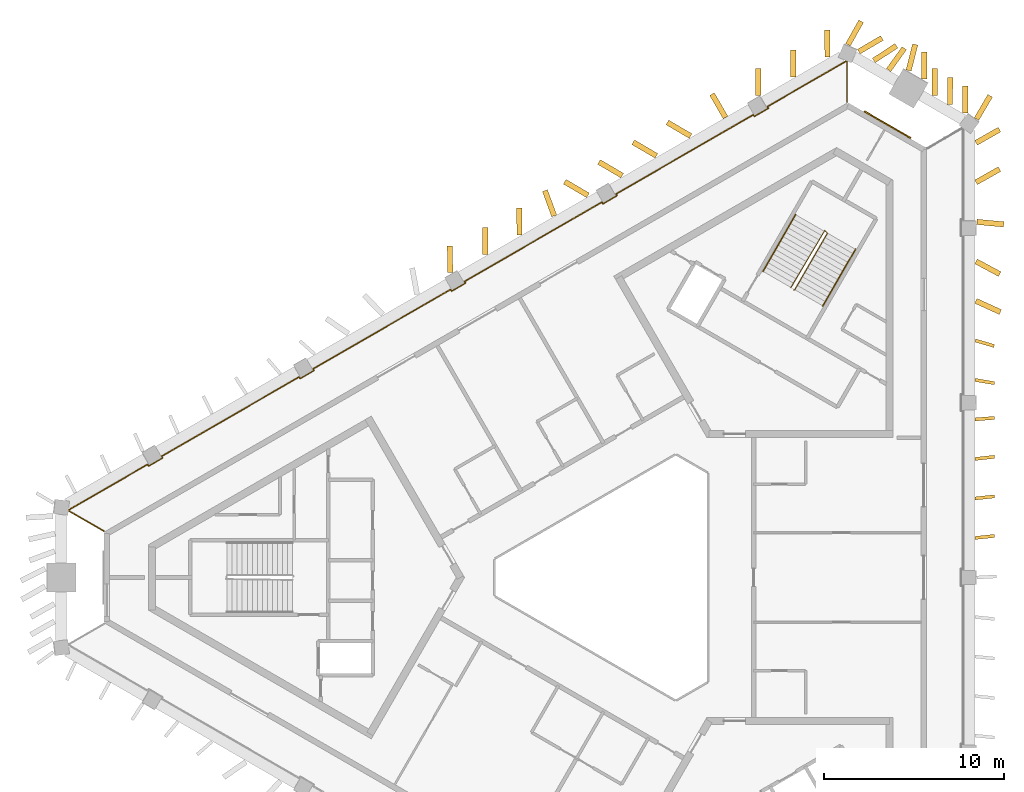
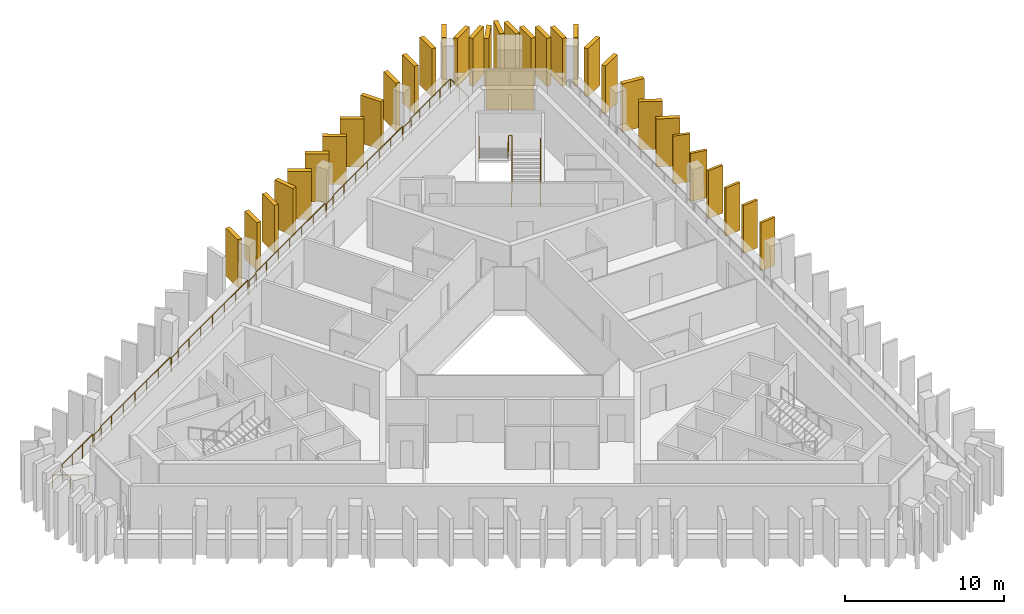
# One storey, part 9 of 9: 33 shading devices, 4 railings, 1 covering.
"""IFC4 building model written with IfcOpenShell, lengths in metres."""

from ifc_helpers import new_model, si_unit, direction, frame, frame_2d, origin, origin_2d, place, context, subcontext, project, spatial, rectangle, circle, extrude, material, layer, layer_set, type_object, element, save


model = new_model("IFC4")

# Units and contexts
model_context = context("Model", 3, precision=1e-05, world=origin(), true_north=direction((0.0, 1.0)))
body_context = subcontext(model_context, "Body", "Model", "MODEL_VIEW")
ifc_project = project(units=[si_unit("LENGTHUNIT", "METRE"), si_unit("AREAUNIT", "SQUARE_METRE"), si_unit("VOLUMEUNIT", "CUBIC_METRE"), si_unit("PLANEANGLEUNIT", "RADIAN"), si_unit("MASSUNIT", "GRAM", prefix="KILO")], contexts=[model_context])

# Site, building, storey
site_placement = place(None, origin())
site = spatial("IfcSite", under=ifc_project, at=site_placement, CompositionType="ELEMENT")
building_placement = place(site_placement, origin())
building = spatial("IfcBuilding", under=site, at=building_placement, Name="Jabali Bay Hotel Tower and Convention Centre", CompositionType="ELEMENT")
storey_placement = place(building_placement, frame((0.0, 0.0, 273.800048828125)))
storey = spatial("IfcBuildingStorey", under=building, at=storey_placement, Name="L67", CompositionType="ELEMENT", Elevation=273.800048828125)

# Railing
ifc_material_1 = material(Name="Glass", Category="glass")
railing_type_1 = type_object("IfcRailingType", Name="Loggia glass guard 1100", PredefinedType="BALUSTRADE", material=ifc_material_1)
railing_1_placement = place(storey_placement, frame((45.91748046875, 82.582763671875, 0.0)))
element("IfcRailing", 1, at=railing_1_placement, inside=storey, type_object=railing_type_1, Name="Loggia glass guard L67", PredefinedType="BALUSTRADE", context=body_context, shape_type="SweptSolid", body=[
    extrude(circle(Radius=0.02490234375, at=origin_2d()), frame((0.0, 0.0, 1.0751953125), z_axis=(-0.866035472144, 0.499982560684, 0.0), x_axis=(-0.495705140567, -0.858626418625, 0.13052619222)), (0.0, 0.0, 1.0), 2.27490234375),
    extrude(circle(Radius=0.02490234375, at=origin_2d()), frame((-1.97021484375, 1.137451171875, 1.0751953125), z_axis=(0.124034734589, 0.992277876714, 0.0), x_axis=(-0.983788801923, 0.12297360024, 0.13052619222)), (0.0, 0.0, 1.0), 0.037353515625),
    extrude(circle(Radius=0.02490234375, at=origin_2d()), frame((-1.965576171875, 1.174560546875, 1.0751953125), z_axis=(0.866031116496, 0.499990105162, 0.0), x_axis=(-0.495712620501, 0.85862210024, 0.13052619222)), (0.0, 0.0, 1.0), 5.07958984375),
    extrude(circle(Radius=0.02490234375, at=origin_2d()), frame((2.43359375, 3.71435546875, 1.0751953125), z_axis=(0.500074377092, -0.865982457891, 0.0), x_axis=(0.858573857916, 0.495796171473, 0.13052619222)), (0.0, 0.0, 1.0), 0.10009765625),
    extrude(circle(Radius=0.02490234375, at=origin_2d()), frame((2.483642578125, 3.627685546875, 1.0751953125), z_axis=(0.865964261186, 0.500105887137, 0.0), x_axis=(-0.495827411944, 0.858555816886, 0.13052619222)), (0.0, 0.0, 1.0), 0.900146484375),
    extrude(circle(Radius=0.02490234375, at=origin_2d()), frame((3.26318359375, 4.077880859375, 1.0751953125), z_axis=(-0.501132629342, 0.865370491644, 0.0), x_axis=(-0.857967127125, -0.496845370228, 0.13052619222)), (0.0, 0.0, 1.0), 0.099853515625),
    extrude(circle(Radius=0.02490234375, at=origin_2d()), frame((3.213134765625, 4.164306640625, 1.0751953125), z_axis=(0.866013114467, 0.500021285118, 0.0), x_axis=(-0.495743533707, 0.858604252221, 0.13052619222)), (0.0, 0.0, 1.0), 8.83984375),
    extrude(circle(Radius=0.02490234375, at=origin_2d()), frame((10.86865234375, 8.58447265625, 1.0751953125), z_axis=(0.500074377092, -0.865982457891, 0.0), x_axis=(0.858573857916, 0.495796171473, 0.13052619222)), (0.0, 0.0, 1.0), 0.10009765625),
    extrude(circle(Radius=0.02490234375, at=origin_2d()), frame((10.918701171875, 8.497802734375, 1.0751953125), z_axis=(0.866081705922, 0.499902469156, 0.0), x_axis=(-0.495625734232, 0.858672256866, 0.13052619222)), (0.0, 0.0, 1.0), 0.900146484375),
    extrude(circle(Radius=0.02490234375, at=origin_2d()), frame((11.6982421875, 8.94775390625, 1.0751953125), z_axis=(-0.500074377092, 0.865982457891, 0.0), x_axis=(-0.858573857916, -0.495796171473, 0.13052619222)), (0.0, 0.0, 1.0), 0.10009765625),
    extrude(circle(Radius=0.02490234375, at=origin_2d()), frame((11.648193359375, 9.034423828125, 1.0751953125), z_axis=(0.866031977934, 0.499988613066, 0.0), x_axis=(-0.49571114117, 0.858622954308, 0.13052619222)), (0.0, 0.0, 1.0), 8.840087890625),
    extrude(circle(Radius=0.02490234375, at=origin_2d()), frame((19.303955078125, 13.454345703125, 1.0751953125), z_axis=(0.499298623879, -0.866429964967, 0.0), x_axis=(0.859017536507, 0.495027054936, 0.13052619222)), (0.0, 0.0, 1.0), 0.099853515625),
    extrude(circle(Radius=0.02490234375, at=origin_2d()), frame((19.353759765625, 13.367919921875, 1.0751953125), z_axis=(0.866081705922, 0.499902469156, 0.0), x_axis=(-0.495625734232, 0.858672256866, 0.13052619222)), (0.0, 0.0, 1.0), 0.900146484375),
    extrude(circle(Radius=0.02490234375, at=origin_2d()), frame((20.13330078125, 13.81787109375, 1.0751953125), z_axis=(-0.501132629342, 0.865370491644, 0.0), x_axis=(-0.857967127125, -0.496845370228, 0.13052619222)), (0.0, 0.0, 1.0), 0.099853515625),
    extrude(circle(Radius=0.02490234375, at=origin_2d()), frame((20.083251953125, 13.904296875, 1.0751953125), z_axis=(0.866020019271, 0.500009326134, 0.0), x_axis=(-0.495731677035, 0.858611097954, 0.13052619222)), (0.0, 0.0, 1.0), 8.840087890625),
    extrude(circle(Radius=0.02490234375, at=origin_2d()), frame((27.739013671875, 18.324462890625, 1.0751953125), z_axis=(0.4982416694, -0.867038199201, 0.0), x_axis=(0.859620567213, 0.493979142849, 0.13052619222)), (0.0, 0.0, 1.0), 0.099853515625),
    extrude(circle(Radius=0.02490234375, at=origin_2d()), frame((27.788818359375, 18.23779296875, 1.0751953125), z_axis=(0.866081705922, 0.499902469156, 0.0), x_axis=(-0.495625734232, 0.858672256866, 0.13052619222)), (0.0, 0.0, 1.0), 0.900146484375),
    extrude(circle(Radius=0.02490234375, at=origin_2d()), frame((28.568359375, 18.687744140625, 1.0751953125), z_axis=(-0.500074377092, 0.865982457891, 0.0), x_axis=(-0.858573857916, -0.495796171473, 0.13052619222)), (0.0, 0.0, 1.0), 0.10009765625),
    extrude(circle(Radius=0.02490234375, at=origin_2d()), frame((28.518310546875, 18.7744140625, 1.0751953125), z_axis=(0.866031977934, 0.499988613066, 0.0), x_axis=(-0.49571114117, 0.858622954308, 0.13052619222)), (0.0, 0.0, 1.0), 8.840087890625),
    extrude(circle(Radius=0.02490234375, at=origin_2d()), frame((36.174072265625, 23.1943359375, 1.0751953125), z_axis=(0.501132629342, -0.865370491644, 0.0), x_axis=(0.857967127125, 0.496845370228, 0.13052619222)), (0.0, 0.0, 1.0), 0.099853515625),
    extrude(circle(Radius=0.02490234375, at=origin_2d()), frame((36.22412109375, 23.10791015625, 1.0751953125), z_axis=(0.866013897511, 0.50001992892, 0.0), x_axis=(-0.495742189112, 0.858605028566, 0.13052619222)), (0.0, 0.0, 1.0), 0.89990234375),
    extrude(circle(Radius=0.02490234375, at=origin_2d()), frame((37.00341796875, 23.557861328125, 1.0751953125), z_axis=(-0.501132629342, 0.865370491644, 0.0), x_axis=(-0.857967127125, -0.496845370228, 0.13052619222)), (0.0, 0.0, 1.0), 0.099853515625),
    extrude(circle(Radius=0.02490234375, at=origin_2d()), frame((36.953369140625, 23.644287109375, 1.0751953125), z_axis=(0.866022320763, 0.500005339912, 0.0), x_axis=(-0.495727724915, 0.858613379755, 0.13052619222)), (0.0, 0.0, 1.0), 5.080078125),
    extrude(circle(Radius=0.02490234375, at=origin_2d()), frame((41.352783203125, 26.184326171875, 1.0751953125), z_axis=(0.922495174035, -0.386008618922, 0.0), x_axis=(0.382706261677, 0.914603099939, 0.13052619222)), (0.0, 0.0, 1.0), 0.037353515625),
    extrude(circle(Radius=0.02490234375, at=origin_2d()), frame((41.38720703125, 26.169921875, 1.0751953125), z_axis=(0.0, -1.0, 0.0), x_axis=(0.991444861374, 0.0, 0.13052619222)), (0.0, 0.0, 1.0), 2.275146484375),
    extrude(circle(Radius=0.02001953125, at=origin_2d()), origin(), (0.0, 0.0, 1.0), 1.050048828125),
    extrude(circle(Radius=0.02001953125, at=origin_2d()), frame((-0.985107421875, 0.56884765625, 0.0)), (0.0, 0.0, 1.0), 1.050048828125),
    extrude(circle(Radius=0.02001953125, at=origin_2d()), frame((-1.97021484375, 1.137451171875, 0.0)), (0.0, 0.0, 1.0), 1.050048828125),
    extrude(circle(Radius=0.02001953125, at=origin_2d()), frame((-1.965576171875, 1.174560546875, 0.0)), (0.0, 0.0, 1.0), 1.050048828125),
    extrude(circle(Radius=0.02001953125, at=origin_2d()), frame((-0.86572265625, 1.8095703125, 0.0)), (0.0, 0.0, 1.0), 1.050048828125),
    extrude(circle(Radius=0.02001953125, at=origin_2d()), frame((0.23388671875, 2.4443359375, 0.0)), (0.0, 0.0, 1.0), 1.050048828125),
    extrude(circle(Radius=0.02001953125, at=origin_2d()), frame((1.333740234375, 3.079345703125, 0.0)), (0.0, 0.0, 1.0), 1.050048828125),
    extrude(circle(Radius=0.02001953125, at=origin_2d()), frame((2.43359375, 3.71435546875, 0.0)), (0.0, 0.0, 1.0), 1.050048828125),
    extrude(circle(Radius=0.02001953125, at=origin_2d()), frame((2.483642578125, 3.627685546875, 0.0)), (0.0, 0.0, 1.0), 1.050048828125),
    extrude(circle(Radius=0.02001953125, at=origin_2d()), frame((3.26318359375, 4.077880859375, 0.0)), (0.0, 0.0, 1.0), 1.050048828125),
    extrude(circle(Radius=0.02001953125, at=origin_2d()), frame((3.213134765625, 4.164306640625, 0.0)), (0.0, 0.0, 1.0), 1.050048828125),
    extrude(circle(Radius=0.02001953125, at=origin_2d()), frame((4.489013671875, 4.90087890625, 0.0)), (0.0, 0.0, 1.0), 1.050048828125),
    extrude(circle(Radius=0.02001953125, at=origin_2d()), frame((5.764892578125, 5.6376953125, 0.0)), (0.0, 0.0, 1.0), 1.050048828125),
    extrude(circle(Radius=0.02001953125, at=origin_2d()), frame((7.041015625, 6.37451171875, 0.0)), (0.0, 0.0, 1.0), 1.050048828125),
    extrude(circle(Radius=0.02001953125, at=origin_2d()), frame((8.31689453125, 7.111083984375, 0.0)), (0.0, 0.0, 1.0), 1.050048828125),
    extrude(circle(Radius=0.02001953125, at=origin_2d()), frame((9.5927734375, 7.84765625, 0.0)), (0.0, 0.0, 1.0), 1.050048828125),
    extrude(circle(Radius=0.02001953125, at=origin_2d()), frame((10.86865234375, 8.58447265625, 0.0)), (0.0, 0.0, 1.0), 1.050048828125),
    extrude(circle(Radius=0.02001953125, at=origin_2d()), frame((10.918701171875, 8.497802734375, 0.0)), (0.0, 0.0, 1.0), 1.050048828125),
    extrude(circle(Radius=0.02001953125, at=origin_2d()), frame((11.6982421875, 8.94775390625, 0.0)), (0.0, 0.0, 1.0), 1.050048828125),
    extrude(circle(Radius=0.02001953125, at=origin_2d()), frame((11.648193359375, 9.034423828125, 0.0)), (0.0, 0.0, 1.0), 1.050048828125),
    extrude(circle(Radius=0.02001953125, at=origin_2d()), frame((12.924072265625, 9.77099609375, 0.0)), (0.0, 0.0, 1.0), 1.050048828125),
    extrude(circle(Radius=0.02001953125, at=origin_2d()), frame((14.2001953125, 10.5078125, 0.0)), (0.0, 0.0, 1.0), 1.050048828125),
    extrude(circle(Radius=0.02001953125, at=origin_2d()), frame((15.47607421875, 11.244384765625, 0.0)), (0.0, 0.0, 1.0), 1.050048828125),
    extrude(circle(Radius=0.02001953125, at=origin_2d()), frame((16.751953125, 11.98095703125, 0.0)), (0.0, 0.0, 1.0), 1.050048828125),
    extrude(circle(Radius=0.02001953125, at=origin_2d()), frame((18.028076171875, 12.7177734375, 0.0)), (0.0, 0.0, 1.0), 1.050048828125),
    extrude(circle(Radius=0.02001953125, at=origin_2d()), frame((19.303955078125, 13.454345703125, 0.0)), (0.0, 0.0, 1.0), 1.050048828125),
    extrude(circle(Radius=0.02001953125, at=origin_2d()), frame((19.353759765625, 13.367919921875, 0.0)), (0.0, 0.0, 1.0), 1.050048828125),
    extrude(circle(Radius=0.02001953125, at=origin_2d()), frame((20.13330078125, 13.81787109375, 0.0)), (0.0, 0.0, 1.0), 1.050048828125),
    extrude(circle(Radius=0.02001953125, at=origin_2d()), frame((20.083251953125, 13.904296875, 0.0)), (0.0, 0.0, 1.0), 1.050048828125),
    extrude(circle(Radius=0.02001953125, at=origin_2d()), frame((21.359130859375, 14.64111328125, 0.0)), (0.0, 0.0, 1.0), 1.050048828125),
    extrude(circle(Radius=0.02001953125, at=origin_2d()), frame((22.63525390625, 15.377685546875, 0.0)), (0.0, 0.0, 1.0), 1.050048828125),
    extrude(circle(Radius=0.02001953125, at=origin_2d()), frame((23.9111328125, 16.1142578125, 0.0)), (0.0, 0.0, 1.0), 1.050048828125),
    extrude(circle(Radius=0.02001953125, at=origin_2d()), frame((25.18701171875, 16.85107421875, 0.0)), (0.0, 0.0, 1.0), 1.050048828125),
    extrude(circle(Radius=0.02001953125, at=origin_2d()), frame((26.463134765625, 17.587890625, 0.0)), (0.0, 0.0, 1.0), 1.050048828125),
    extrude(circle(Radius=0.02001953125, at=origin_2d()), frame((27.739013671875, 18.324462890625, 0.0)), (0.0, 0.0, 1.0), 1.050048828125),
    extrude(circle(Radius=0.02001953125, at=origin_2d()), frame((27.788818359375, 18.23779296875, 0.0)), (0.0, 0.0, 1.0), 1.050048828125),
    extrude(circle(Radius=0.02001953125, at=origin_2d()), frame((28.568359375, 18.687744140625, 0.0)), (0.0, 0.0, 1.0), 1.050048828125),
    extrude(circle(Radius=0.02001953125, at=origin_2d()), frame((28.518310546875, 18.7744140625, 0.0)), (0.0, 0.0, 1.0), 1.050048828125),
    extrude(circle(Radius=0.02001953125, at=origin_2d()), frame((29.794189453125, 19.510986328125, 0.0)), (0.0, 0.0, 1.0), 1.050048828125),
    extrude(circle(Radius=0.02001953125, at=origin_2d()), frame((31.0703125, 20.247802734375, 0.0)), (0.0, 0.0, 1.0), 1.050048828125),
    extrude(circle(Radius=0.02001953125, at=origin_2d()), frame((32.34619140625, 20.984375, 0.0)), (0.0, 0.0, 1.0), 1.050048828125),
    extrude(circle(Radius=0.02001953125, at=origin_2d()), frame((33.6220703125, 21.720947265625, 0.0)), (0.0, 0.0, 1.0), 1.050048828125),
    extrude(circle(Radius=0.02001953125, at=origin_2d()), frame((34.898193359375, 22.457763671875, 0.0)), (0.0, 0.0, 1.0), 1.050048828125),
    extrude(circle(Radius=0.02001953125, at=origin_2d()), frame((36.174072265625, 23.1943359375, 0.0)), (0.0, 0.0, 1.0), 1.050048828125),
    extrude(circle(Radius=0.02001953125, at=origin_2d()), frame((36.22412109375, 23.10791015625, 0.0)), (0.0, 0.0, 1.0), 1.050048828125),
    extrude(circle(Radius=0.02001953125, at=origin_2d()), frame((37.00341796875, 23.557861328125, 0.0)), (0.0, 0.0, 1.0), 1.050048828125),
    extrude(circle(Radius=0.02001953125, at=origin_2d()), frame((36.953369140625, 23.644287109375, 0.0)), (0.0, 0.0, 1.0), 1.050048828125),
    extrude(circle(Radius=0.02001953125, at=origin_2d()), frame((38.05322265625, 24.279296875, 0.0)), (0.0, 0.0, 1.0), 1.050048828125),
    extrude(circle(Radius=0.02001953125, at=origin_2d()), frame((39.153076171875, 24.914306640625, 0.0)), (0.0, 0.0, 1.0), 1.050048828125),
    extrude(circle(Radius=0.02001953125, at=origin_2d()), frame((40.2529296875, 25.54931640625, 0.0)), (0.0, 0.0, 1.0), 1.050048828125),
    extrude(circle(Radius=0.02001953125, at=origin_2d()), frame((41.352783203125, 26.184326171875, 0.0)), (0.0, 0.0, 1.0), 1.050048828125),
    extrude(circle(Radius=0.02001953125, at=origin_2d()), frame((41.38720703125, 26.169921875, 0.0)), (0.0, 0.0, 1.0), 1.050048828125),
    extrude(circle(Radius=0.02001953125, at=origin_2d()), frame((41.38720703125, 25.0322265625, 0.0)), (0.0, 0.0, 1.0), 1.050048828125),
    extrude(circle(Radius=0.02001953125, at=origin_2d()), frame((41.38720703125, 23.894775390625, 0.0)), (0.0, 0.0, 1.0), 1.050048828125),
])

# Shading devices
ifc_material_2 = material(Name="Precast concrete C60", Category="concrete")
ifc_layer_1 = layer(ifc_material_2, 0.179931640625)
ifc_layer_set_1 = layer_set([ifc_layer_1], Name="Precast concrete C60")
shading_device_type_1 = type_object("IfcShadingDeviceType", Name="Precast fin 3680 x 1100", PredefinedType="USERDEFINED", material=ifc_layer_set_1)
shading_device_1_placement = place(storey_placement, frame((94.4296875, 82.200927734375, 0.010009765625), z_axis=(0.0, 0.0, 1.0), x_axis=(0.994544300928, 0.104315068386, 0.0)))
element("IfcShadingDevice", 2, at=shading_device_1_placement, inside=storey, type_object=shading_device_type_1, Name="Fin L67 012", ObjectType="FIN", PredefinedType="USERDEFINED", context=body_context, shape_type="SweptSolid", body=[
    extrude(rectangle(XDim=1.10009765625, YDim=0.179931640625, at=frame_2d((0.550048828125, 0.0))), origin(), (0.0, 0.0, 1.0), 3.679931640625),
])
shading_device_2_placement = place(storey_placement, frame((94.429931640625, 84.401611328125, 0.010009765625), z_axis=(0.0, 0.0, 1.0), x_axis=(0.994379470469, 0.105874778441, 0.0)))
element("IfcShadingDevice", 3, at=shading_device_2_placement, inside=storey, type_object=shading_device_type_1, Name="Fin L67 013", ObjectType="FIN", PredefinedType="USERDEFINED", context=body_context, shape_type="SweptSolid", body=[
    extrude(rectangle(XDim=1.099853515625, YDim=0.179931640625, at=frame_2d((0.5498046875, 0.0))), origin(), (0.0, 0.0, 1.0), 3.679931640625),
])
shading_device_3_placement = place(storey_placement, frame((94.43017578125, 86.6025390625, 0.010009765625), z_axis=(0.0, 0.0, 1.0), x_axis=(0.993924260386, 0.110066182887, 0.0)))
element("IfcShadingDevice", 4, at=shading_device_3_placement, inside=storey, type_object=shading_device_type_1, Name="Fin L67 014", ObjectType="FIN", PredefinedType="USERDEFINED", context=body_context, shape_type="SweptSolid", body=[
    extrude(rectangle(XDim=1.10009765625, YDim=0.179931640625, at=frame_2d((0.550048828125, 0.0))), origin(), (0.0, 0.0, 1.0), 3.679931640625),
])
for number, where, z_axis, x_axis, name in (
    (5, (94.427490234375, 88.80322265625, 0.010009765625), (0.0, 0.0, 1.0), (0.996837823076, 0.079462912639, 0.0), "Fin L67 015"),
    (6, (94.435302734375, 91.004150390625, 0.010009765625), (0.0, 0.0, 1.0), (0.986158969378, -0.165802554609, 0.0), "Fin L67 016"),
    (7, (94.44580078125, 93.204833984375, 0.010009765625), (0.0, 0.0, 1.0), (0.959117717757, -0.283007426554, 0.0), "Fin L67 017"),
):
    element("IfcShadingDevice", number, at=place(storey_placement, frame(where, z_axis=z_axis, x_axis=x_axis)), inside=storey, type_object=shading_device_type_1, Name=name, ObjectType="FIN", PredefinedType="USERDEFINED", context=body_context, shape_type="SweptSolid", body=[
        extrude(rectangle(XDim=1.099853515625, YDim=0.179931640625, at=frame_2d((0.5498046875, 0.0))), origin(), (0.0, 0.0, 1.0), 3.679931640625),
    ])
ifc_layer_2 = layer(ifc_material_2, 0.300048828125)
ifc_layer_set_2 = layer_set([ifc_layer_2], Name="Precast concrete C60")
shading_device_type_2 = type_object("IfcShadingDeviceType", Name="Precast fin 3680 x 1500", PredefinedType="USERDEFINED", material=ifc_layer_set_2)
for number, where, z_axis, x_axis, name in (
    (8, (94.482421875, 95.40576171875, 0.010009765625), (0.0, 0.0, 1.0), (0.910383199859, -0.413766153056, 0.0), "Fin L67 018"),
    (9, (94.491455078125, 97.606689453125, 0.010009765625), (0.0, 0.0, 1.0), (0.880716621163, -0.473643571906, 0.0), "Fin L67 019"),
    (10, (94.5419921875, 99.807373046875, 0.010009765625), (0.0, 0.0, 1.0), (0.995518122564, -0.094570966189, 0.0), "Fin L67 020"),
    (11, (94.494140625, 102.00830078125, 0.010009765625), (0.0, 0.0, 1.0), (0.870408202806, 0.492330742986, 0.0), "Fin L67 021"),
    (12, (94.494384765625, 104.208984375, 0.010009765625), (0.0, 0.0, 1.0), (0.869940726606, 0.493156295906, 0.0), "Fin L67 022"),
    (13, (93.885009765625, 105.8662109375, 0.010009765625), (0.0, 0.0, 1.0), (0.007649515767, 0.999970742026, 0.0), "Fin L67 023"),
):
    element("IfcShadingDevice", number, at=place(storey_placement, frame(where, z_axis=z_axis, x_axis=x_axis)), inside=storey, type_object=shading_device_type_2, Name=name, ObjectType="FIN", PredefinedType="USERDEFINED", context=body_context, shape_type="SweptSolid", body=[
        extrude(rectangle(XDim=1.5, YDim=0.300048828125, at=frame_2d((0.75, 0.0))), origin(), (0.0, 0.0, 1.0), 3.679931640625),
    ])
shading_device_4_placement = place(storey_placement, frame((93.038330078125, 106.355224609375, 0.010009765625), z_axis=(0.0, 0.0, 1.0), x_axis=(0.007650760936, 0.9999707325, 0.0)))
element("IfcShadingDevice", 14, at=shading_device_4_placement, inside=storey, type_object=shading_device_type_2, Name="Fin L67 024", ObjectType="FIN", PredefinedType="USERDEFINED", context=body_context, shape_type="SweptSolid", body=[
    extrude(rectangle(XDim=1.499755859375, YDim=0.300048828125, at=frame_2d((0.75, 0.0))), origin(), (0.0, 0.0, 1.0), 3.679931640625),
])
shading_device_5_placement = place(storey_placement, frame((92.191650390625, 106.843994140625, 0.010009765625), z_axis=(0.0, 0.0, 1.0), x_axis=(0.007649515767, 0.999970742026, 0.0)))
element("IfcShadingDevice", 15, at=shading_device_5_placement, inside=storey, type_object=shading_device_type_2, Name="Fin L67 025", ObjectType="FIN", PredefinedType="USERDEFINED", context=body_context, shape_type="SweptSolid", body=[
    extrude(rectangle(XDim=1.5, YDim=0.300048828125, at=frame_2d((0.75, 0.0))), origin(), (0.0, 0.0, 1.0), 3.679931640625),
])
shading_device_6_placement = place(storey_placement, frame((91.601318359375, 107.77685546875, 0.010009765625), z_axis=(0.0, 0.0, 1.0), x_axis=(0.007650760936, 0.9999707325, 0.0)))
element("IfcShadingDevice", 16, at=shading_device_6_placement, inside=storey, type_object=shading_device_type_2, Name="Fin L67 026", ObjectType="FIN", PredefinedType="USERDEFINED", context=body_context, shape_type="SweptSolid", body=[
    extrude(rectangle(XDim=1.499755859375, YDim=0.300048828125, at=frame_2d((0.75, 0.0))), origin(), (0.0, 0.0, 1.0), 3.679931640625),
])
shading_device_7_placement = place(storey_placement, frame((90.73828125, 108.237060546875, 0.010009765625), z_axis=(0.0, 0.0, 1.0), x_axis=(0.243990698292, 0.969777571996, 0.0)))
element("IfcShadingDevice", 17, at=shading_device_7_placement, inside=storey, type_object=shading_device_type_2, Name="Fin L67 027", ObjectType="FIN", PredefinedType="USERDEFINED", context=body_context, shape_type="SweptSolid", body=[
    extrude(rectangle(XDim=1.5, YDim=0.300048828125, at=frame_2d((0.75, 0.0))), origin(), (0.0, 0.0, 1.0), 3.679931640625),
])
shading_device_8_placement = place(storey_placement, frame((89.6220703125, 108.259033203125, 0.010009765625), z_axis=(0.0, 0.0, 1.0), x_axis=(0.582622872891, 0.812742633301, 0.0)))
element("IfcShadingDevice", 18, at=shading_device_8_placement, inside=storey, type_object=shading_device_type_2, Name="Fin L67 028", ObjectType="FIN", PredefinedType="USERDEFINED", context=body_context, shape_type="SweptSolid", body=[
    extrude(rectangle(XDim=1.500244140625, YDim=0.300048828125, at=frame_2d((0.75, 0.0))), origin(), (0.0, 0.0, 1.0), 3.679931640625),
])
for number, where, z_axis, x_axis, name in (
    (19, (88.801513671875, 108.79296875, 0.010009765625), (0.0, 0.0, 1.0), (0.833798897254, 0.552068291916, 0.0), "Fin L67 029"),
    (20, (87.958251953125, 109.2880859375, 0.010009765625), (0.0, 0.0, 1.0), (0.862252015738, 0.506479477723, 0.0), "Fin L67 030"),
    (21, (86.218505859375, 108.987060546875, 0.010009765625), (0.0, 0.0, 1.0), (-0.007649515767, 0.999970742026, 0.0), "Fin L67 031"),
    (22, (84.3125, 107.88671875, 0.010009765625), (0.0, 0.0, 1.0), (-0.007649515767, 0.999970742026, 0.0), "Fin L67 032"),
    (23, (82.369384765625, 106.850830078125, 0.010009765625), (0.0, 0.0, 1.0), (-0.007649515767, 0.999970742026, 0.0), "Fin L67 033"),
    (24, (80.53759765625, 105.6220703125, 0.010009765625), (0.0, 0.0, 1.0), (-0.499168154859, 0.86650513742, 0.0), "Fin L67 034"),
    (25, (78.594482421875, 104.58544921875, 0.010009765625), (0.0, 0.0, 1.0), (-0.862139163582, 0.506671552998, 0.0), "Fin L67 035"),
    (26, (76.688720703125, 103.485107421875, 0.010009765625), (0.0, 0.0, 1.0), (-0.862252015738, 0.506479477723, 0.0), "Fin L67 036"),
    (27, (74.78271484375, 102.384765625, 0.010009765625), (0.0, 0.0, 1.0), (-0.862210257959, 0.506550561218, 0.0), "Fin L67 037"),
    (28, (72.876708984375, 101.2841796875, 0.010009765625), (0.0, 0.0, 1.0), (-0.862139163582, 0.506671552998, 0.0), "Fin L67 038"),
    (29, (70.994873046875, 100.14208984375, 0.010009765625), (0.0, 0.0, 1.0), (-0.343245415571, 0.939245753086, 0.0), "Fin L67 039"),
):
    element("IfcShadingDevice", number, at=place(storey_placement, frame(where, z_axis=z_axis, x_axis=x_axis)), inside=storey, type_object=shading_device_type_2, Name=name, ObjectType="FIN", PredefinedType="USERDEFINED", context=body_context, shape_type="SweptSolid", body=[
        extrude(rectangle(XDim=1.5, YDim=0.300048828125, at=frame_2d((0.75, 0.0))), origin(), (0.0, 0.0, 1.0), 3.679931640625),
    ])
shading_device_9_placement = place(storey_placement, frame((69.064697265625, 99.08349609375, 0.010009765625), z_axis=(0.0, 0.0, 1.0), x_axis=(-0.007650760936, 0.9999707325, 0.0)))
element("IfcShadingDevice", 30, at=shading_device_9_placement, inside=storey, type_object=shading_device_type_2, Name="Fin L67 040", ObjectType="FIN", PredefinedType="USERDEFINED", context=body_context, shape_type="SweptSolid", body=[
    extrude(rectangle(XDim=1.499755859375, YDim=0.300048828125, at=frame_2d((0.75, 0.0))), origin(), (0.0, 0.0, 1.0), 3.679931640625),
])
for number, where, z_axis, x_axis, name in (
    (31, (67.15869140625, 97.98291015625, 0.010009765625), (0.0, 0.0, 1.0), (-0.007812261592, 0.999969483819, 0.0), "Fin L67 041"),
    (32, (65.19921875, 96.9755859375, 0.010009765625), (0.0, 0.0, 1.0), (-0.008463238555, 0.999964186155, 0.0), "Fin L67 042"),
):
    element("IfcShadingDevice", number, at=place(storey_placement, frame(where, z_axis=z_axis, x_axis=x_axis)), inside=storey, type_object=shading_device_type_2, Name=name, ObjectType="FIN", PredefinedType="USERDEFINED", context=body_context, shape_type="SweptSolid", body=[
        extrude(rectangle(XDim=1.5, YDim=0.300048828125, at=frame_2d((0.75, 0.0))), origin(), (0.0, 0.0, 1.0), 3.679931640625),
    ])
shading_device_10_placement = place(storey_placement, frame((94.52001953125, 105.535888671875, 0.010009765625), z_axis=(0.0, 0.0, 1.0), x_axis=(0.50679251485, 0.862068063956, 0.0)))
element("IfcShadingDevice", 33, at=shading_device_10_placement, inside=storey, type_object=shading_device_type_2, Name="Fin L67 094", ObjectType="FIN", PredefinedType="USERDEFINED", context=body_context, shape_type="SweptSolid", body=[
    extrude(rectangle(XDim=1.500244140625, YDim=0.300048828125, at=frame_2d((0.75, 0.0))), origin(), (0.0, 0.0, 1.0), 3.679931640625),
])
shading_device_11_placement = place(storey_placement, frame((87.354736328125, 109.6728515625, 0.010009765625), z_axis=(0.0, 0.0, 1.0), x_axis=(0.493349296078, 0.869831289423, 0.0)))
element("IfcShadingDevice", 34, at=shading_device_11_placement, inside=storey, type_object=shading_device_type_2, Name="Fin L67 095", ObjectType="FIN", PredefinedType="USERDEFINED", context=body_context, shape_type="SweptSolid", body=[
    extrude(rectangle(XDim=1.5, YDim=0.300048828125, at=frame_2d((0.75, 0.0))), origin(), (0.0, 0.0, 1.0), 3.679931640625),
])

# Covering
ifc_material_3 = material(Name="Precast concrete C40/50", Category="concrete")
ifc_layer_3 = layer(ifc_material_3, 0.080078125)
ifc_layer_set_3 = layer_set([ifc_layer_3], Name="Precast concrete C40/50")
covering_type = type_object("IfcCoveringType", Name="Relief panel 3000 x 3100", PredefinedType="CLADDING", material=ifc_layer_set_3)
covering_placement = place(storey_placement, frame((89.561279296875, 105.220947265625, 0.099853515625), z_axis=(0.0, 0.0, 1.0), x_axis=(0.866025374044, -0.500000051512, 0.0)))
element("IfcCovering", 35, at=covering_placement, inside=storey, type_object=covering_type, Name="Relief panel L67", PredefinedType="CLADDING", context=body_context, shape_type="SweptSolid", body=[
    extrude(rectangle(XDim=3.0, YDim=0.080078125, at=origin_2d()), origin(), (0.0, 0.0, 1.0), 3.10009765625),
])

# Railings
ifc_material_4 = material(Name="Steel Q355B", Category="steel")
railing_type_2 = type_object("IfcRailingType", Name="Stair guard 1100", PredefinedType="GUARDRAIL", material=ifc_material_4)
railing_2_placement = place(storey_placement, frame((84.329833984375, 96.010009765625, 0.0)))
element("IfcRailing", 36, at=railing_2_placement, inside=storey, type_object=railing_type_2, Name="L67 ST2 stair guard 1", PredefinedType="GUARDRAIL", context=body_context, shape_type="SweptSolid", body=[
    extrude(circle(Radius=0.02392578125, at=origin_2d()), frame((0.0, 0.0, 1.076171875), z_axis=(0.456201556387, 0.122196845461, 0.881446578591), x_axis=(-0.258736085224, 0.965948051503, 0.0)), (0.0, 0.0, 1.0), 0.14990234375),
    extrude(circle(Radius=0.02392578125, at=origin_2d()), frame((0.068359375, 0.018310546875, 1.2080078125), z_axis=(0.452190331055, 0.783190014029, 0.426775475427), x_axis=(-0.866018046521, 0.500012742938, 0.0)), (0.0, 0.0, 1.0), 4.02490234375),
    extrude(circle(Radius=0.02392578125, at=origin_2d()), frame((1.888427734375, 3.170654296875, 2.92578125), z_axis=(-0.718850276695, 0.695164929852, 0.0), x_axis=(-0.695164929852, -0.718850276695, 0.0)), (0.0, 0.0, 1.0), 0.2060546875),
    extrude(circle(Radius=0.02392578125, at=origin_2d()), frame((1.740234375, 3.31396484375, 2.92578125), z_axis=(-0.457445338502, -0.768046879266, 0.448160410493), x_axis=(0.859157857954, -0.511710636118, 0.0)), (0.0, 0.0, 1.0), 4.128173828125),
    extrude(circle(Radius=0.02099609375, at=origin_2d()), origin(), (0.0, 0.0, 1.0), 1.052001953125),
    extrude(circle(Radius=0.02099609375, at=origin_2d()), frame((0.068359375, 0.018310546875, 0.132080078125)), (0.0, 0.0, 1.0), 1.052001953125),
    extrude(circle(Radius=0.02099609375, at=origin_2d()), frame((0.5234375, 0.806396484375, 0.5615234375)), (0.0, 0.0, 1.0), 1.052001953125),
    extrude(circle(Radius=0.02099609375, at=origin_2d()), frame((0.978515625, 1.594482421875, 0.990966796875)), (0.0, 0.0, 1.0), 1.052001953125),
    extrude(circle(Radius=0.02099609375, at=origin_2d()), frame((1.433349609375, 2.382568359375, 1.42041015625)), (0.0, 0.0, 1.0), 1.052001953125),
    extrude(circle(Radius=0.02099609375, at=origin_2d()), frame((1.888427734375, 3.170654296875, 1.849853515625)), (0.0, 0.0, 1.0), 1.052001953125),
    extrude(circle(Radius=0.02099609375, at=origin_2d()), frame((1.740234375, 3.31396484375, 1.849853515625)), (0.0, 0.0, 1.0), 1.052001953125),
    extrude(circle(Radius=0.02099609375, at=origin_2d()), frame((1.26806640625, 2.521240234375, 2.3125)), (0.0, 0.0, 1.0), 1.052001953125),
    extrude(circle(Radius=0.02099609375, at=origin_2d()), frame((0.7958984375, 1.728515625, 2.77490234375)), (0.0, 0.0, 1.0), 1.052001953125),
    extrude(circle(Radius=0.02099609375, at=origin_2d()), frame((0.323974609375, 0.93603515625, 3.2373046875)), (0.0, 0.0, 1.0), 1.052001953125),
    extrude(circle(Radius=0.02099609375, at=origin_2d()), frame((-0.148193359375, 0.143310546875, 3.699951171875)), (0.0, 0.0, 1.0), 1.052001953125),
])
railing_type_3 = type_object("IfcRailingType", Name="Stair handrail 900", PredefinedType="HANDRAIL", material=ifc_material_4)
railing_3_placement = place(storey_placement, frame((85.95703125, 95.128173828125, 0.132080078125)))
element("IfcRailing", 37, at=railing_3_placement, inside=storey, type_object=railing_type_3, Name="L67 ST2 stair handrail 1", PredefinedType="HANDRAIL", context=body_context, shape_type="SweptSolid", body=[
    extrude(circle(Radius=0.02392578125, at=origin_2d()), frame((0.0, 0.0, 0.8759765625), z_axis=(0.452190331055, 0.783190014029, 0.426775475427), x_axis=(-0.866018046521, 0.500012742938, 0.0)), (0.0, 0.0, 1.0), 4.02490234375),
    extrude(circle(Radius=0.02099609375, at=origin_2d()), origin(), (0.0, 0.0, 1.0), 0.851806640625),
    extrude(circle(Radius=0.02099609375, at=origin_2d()), frame((0.455078125, 0.7880859375, 0.429443359375)), (0.0, 0.0, 1.0), 0.851806640625),
    extrude(circle(Radius=0.02099609375, at=origin_2d()), frame((0.91015625, 1.576171875, 0.85888671875)), (0.0, 0.0, 1.0), 0.851806640625),
    extrude(circle(Radius=0.02099609375, at=origin_2d()), frame((1.364990234375, 2.3642578125, 1.288330078125)), (0.0, 0.0, 1.0), 0.851806640625),
    extrude(circle(Radius=0.02099609375, at=origin_2d()), frame((1.820068359375, 3.15234375, 1.7177734375)), (0.0, 0.0, 1.0), 0.851806640625),
])
railing_4_placement = place(storey_placement, frame((84.44287109375, 100.20556640625, 1.982177734375)))
element("IfcRailing", 38, at=railing_4_placement, inside=storey, type_object=railing_type_3, Name="L67 ST2 stair handrail 2", PredefinedType="HANDRAIL", context=body_context, shape_type="SweptSolid", body=[
    extrude(circle(Radius=0.02392578125, at=origin_2d()), frame((0.0, 0.0, 0.8759765625), z_axis=(-0.452190331055, -0.783190014029, 0.426775475427), x_axis=(0.866018046521, -0.500012742938, 0.0)), (0.0, 0.0, 1.0), 4.02490234375),
    extrude(circle(Radius=0.02099609375, at=origin_2d()), origin(), (0.0, 0.0, 1.0), 0.851806640625),
    extrude(circle(Radius=0.02099609375, at=origin_2d()), frame((-0.455078125, -0.7880859375, 0.429443359375)), (0.0, 0.0, 1.0), 0.851806640625),
    extrude(circle(Radius=0.02099609375, at=origin_2d()), frame((-0.91015625, -1.576171875, 0.85888671875)), (0.0, 0.0, 1.0), 0.851806640625),
    extrude(circle(Radius=0.02099609375, at=origin_2d()), frame((-1.364990234375, -2.3642578125, 1.288330078125)), (0.0, 0.0, 1.0), 0.851806640625),
    extrude(circle(Radius=0.02099609375, at=origin_2d()), frame((-1.820068359375, -3.15234375, 1.7177734375)), (0.0, 0.0, 1.0), 0.851806640625),
])

save(model, "model.ifc")
